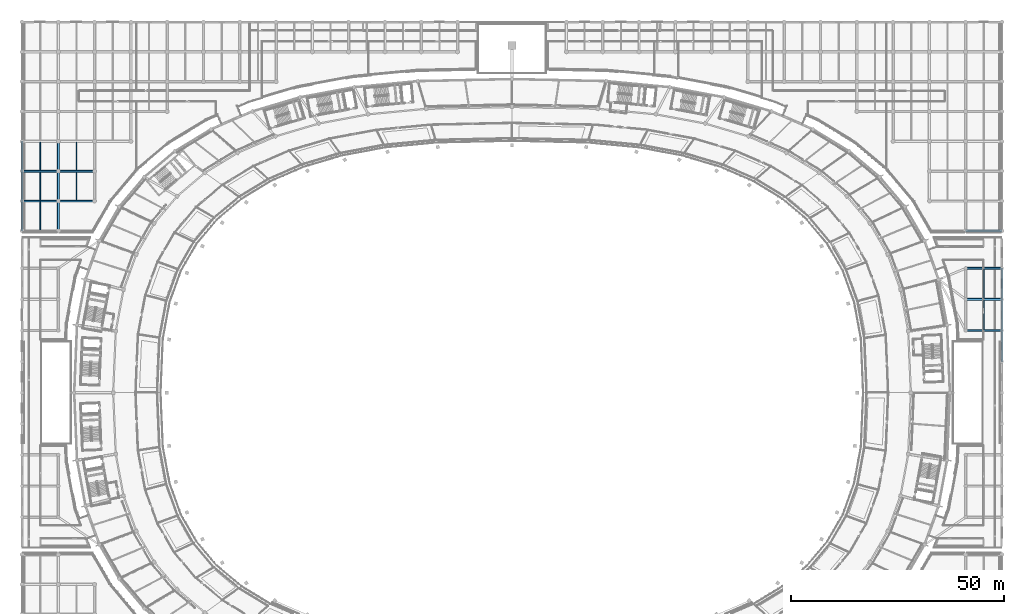
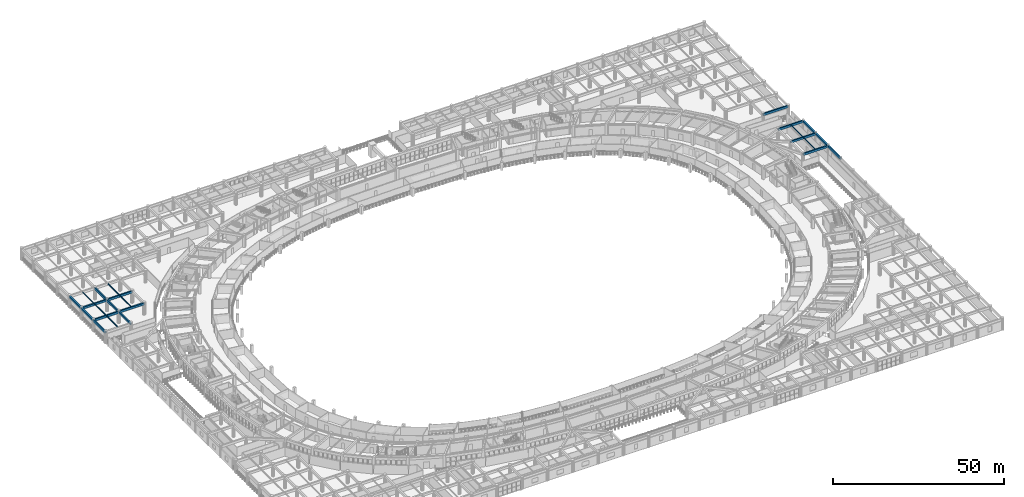
# One storey, part 48 of 141: 24 beams.
"""IFC4 building model written with IfcOpenShell, lengths in metres."""

from ifc_helpers import new_model, si_unit, direction, frame, origin, origin_2d, place, context, subcontext, project, spatial, rectangle, i_section, extrude, material, material_profile, profile_set, type_object, element, save


model = new_model("IFC4")

# Units and contexts
model_context = context("Model", 3, precision=1e-05, world=origin(), true_north=direction((0.0, 1.0)))
body_context = subcontext(model_context, "Body", "Model", "MODEL_VIEW")
ifc_project = project(units=[si_unit("LENGTHUNIT", "METRE"), si_unit("AREAUNIT", "SQUARE_METRE"), si_unit("VOLUMEUNIT", "CUBIC_METRE"), si_unit("PLANEANGLEUNIT", "RADIAN"), si_unit("MASSUNIT", "GRAM", prefix="KILO")], contexts=[model_context])

# Site, building, storey
site_placement = place(None, origin())
site = spatial("IfcSite", under=ifc_project, at=site_placement, CompositionType="ELEMENT")
building_placement = place(site_placement, origin())
building = spatial("IfcBuilding", under=site, at=building_placement, Name="Mphavela Belvedere Stadium", CompositionType="ELEMENT")
storey_placement = place(building_placement, frame((0.0, 0.0, 14.699951171875)))
storey = spatial("IfcBuildingStorey", under=building, at=storey_placement, Name="L03", CompositionType="ELEMENT", Elevation=14.699951171875)

# Beams
ifc_material_1 = material(Name="Steel S355", Category="steel")
ifc_material_profile_1 = material_profile(ifc_material_1, i_section(OverallWidth=0.169921875, OverallDepth=0.360107421875, WebThickness=0.008056640625, FlangeThickness=0.0126953125, at=origin_2d()), Name="IPE 360")
ifc_profile_set_1 = profile_set([ifc_material_profile_1], Name="Steel S355")
beam_type_1 = type_object("IfcBeamType", Name="BM-JOIST-IPE360", PredefinedType="JOIST", material=ifc_profile_set_1)
for number, where, z_axis, x_axis, name in (
    (1, (4.259521484375, 125.22509765625, 4.06005859375), (0.0, 1.0, 0.0), (-1.0, 0.0, 0.0), "North Mast and Ceremonial End Forecourt secondary joist L03 1-1"),
    (2, (4.259521484375, 132.22509765625, 4.06005859375), (0.0, 1.0, 0.0), (-1.0, 0.0, 0.0), "North Mast and Ceremonial End Forecourt secondary joist L03 1-2"),
    (3, (4.259521484375, 139.22509765625, 4.06005859375), (0.0, 1.0, 0.0), (-1.0, 0.0, 0.0), "North Mast and Ceremonial End Forecourt secondary joist L03 1-3"),
    (4, (12.778076171875, 132.22509765625, 4.06005859375), (0.0, 1.0, 0.0), (-1.0, 0.0, 0.0), "North Mast and Ceremonial End Forecourt secondary joist L03 2-2"),
    (5, (12.778076171875, 139.22509765625, 4.06005859375), (0.0, 1.0, 0.0), (-1.0, 0.0, 0.0), "North Mast and Ceremonial End Forecourt secondary joist L03 2-3"),
):
    element("IfcBeam", number, at=place(storey_placement, frame(where, z_axis=z_axis, x_axis=x_axis)), inside=storey, type_object=beam_type_1, Name=name, PredefinedType="JOIST", context=body_context, shape_type="SweptSolid", body=[
        extrude(i_section(OverallWidth=0.169921875, OverallDepth=0.360107421875, WebThickness=0.008056640625, FlangeThickness=0.0126953125, at=origin_2d()), origin(), (0.0, 0.0, 1.0), 6.5498046875),
    ])
for number, where, z_axis, x_axis, name in (
    (6, (225.75, 101.824951171875, 4.06005859375), (0.0, 1.0, 0.0), (-1.0, 0.0, 0.0), "East Planted Eaves Peristyle Colonnade secondary joist L03 8-8"),
    (7, (225.75, 109.125, 4.06005859375), (0.0, 1.0, 0.0), (-1.0, 0.0, 0.0), "East Planted Eaves Peristyle Colonnade secondary joist L03 8-9"),
):
    element("IfcBeam", number, at=place(storey_placement, frame(where, z_axis=z_axis, x_axis=x_axis)), inside=storey, type_object=beam_type_1, Name=name, PredefinedType="JOIST", context=body_context, shape_type="SweptSolid", body=[
        extrude(i_section(OverallWidth=0.169921875, OverallDepth=0.360107421875, WebThickness=0.008056640625, FlangeThickness=0.0126953125, at=origin_2d()), origin(), (0.0, 0.0, 1.0), 6.85009765625),
    ])
ifc_material_2 = material(Name="Concrete C40/50", Category="concrete")
ifc_material_profile_2 = material_profile(ifc_material_2, rectangle(XDim=0.449951171875, YDim=0.75, at=origin_2d()), Name="RC 450x750")
ifc_profile_set_2 = profile_set([ifc_material_profile_2], Name="Concrete C40/50")
beam_type_2 = type_object("IfcBeamType", Name="BM-RC450x750", PredefinedType="BEAM", material=ifc_profile_set_2)
beam_1_placement = place(storey_placement, frame((0.0, 125.0, 3.864990234375), z_axis=(0.0, 1.0, 0.0), x_axis=(-1.0, 0.0, 0.0)))
element("IfcBeam", 8, at=beam_1_placement, inside=storey, type_object=beam_type_2, Name="North Mast and Ceremonial End Forecourt entablature beam Y L03 1-1", PredefinedType="BEAM", context=body_context, shape_type="SweptSolid", body=[
    extrude(rectangle(XDim=0.449951171875, YDim=0.75, at=origin_2d()), origin(), (0.0, 0.0, 1.0), 7.0),
])
beam_2_placement = place(storey_placement, frame((0.0, 132.0, 3.864990234375), z_axis=(1.0, 0.0, 0.0), x_axis=(0.0, 1.0, 0.0)))
element("IfcBeam", 9, at=beam_2_placement, inside=storey, type_object=beam_type_2, Name="North Mast and Ceremonial End Forecourt entablature beam X L03 1-2", PredefinedType="BEAM", context=body_context, shape_type="SweptSolid", body=[
    extrude(rectangle(XDim=0.449951171875, YDim=0.75, at=origin_2d()), origin(), (0.0, 0.0, 1.0), 8.51904296875),
])
beam_3_placement = place(storey_placement, frame((0.0, 132.0, 3.864990234375), z_axis=(0.0, 1.0, 0.0), x_axis=(-1.0, 0.0, 0.0)))
element("IfcBeam", 10, at=beam_3_placement, inside=storey, type_object=beam_type_2, Name="North Mast and Ceremonial End Forecourt entablature beam Y L03 1-2", PredefinedType="BEAM", context=body_context, shape_type="SweptSolid", body=[
    extrude(rectangle(XDim=0.449951171875, YDim=0.75, at=origin_2d()), origin(), (0.0, 0.0, 1.0), 7.0),
])
beam_4_placement = place(storey_placement, frame((0.0, 139.0, 3.864990234375), z_axis=(1.0, 0.0, 0.0), x_axis=(0.0, 1.0, 0.0)))
element("IfcBeam", 11, at=beam_4_placement, inside=storey, type_object=beam_type_2, Name="North Mast and Ceremonial End Forecourt entablature beam X L03 1-3", PredefinedType="BEAM", context=body_context, shape_type="SweptSolid", body=[
    extrude(rectangle(XDim=0.449951171875, YDim=0.75, at=origin_2d()), origin(), (0.0, 0.0, 1.0), 8.51904296875),
])
for number, where, z_axis, x_axis, name in (
    (12, (0.0, 139.0, 3.864990234375), (0.0, 1.0, 0.0), (-1.0, 0.0, 0.0), "North Mast and Ceremonial End Forecourt entablature beam Y L03 1-3"),
    (13, (8.51904296875, 125.0, 3.864990234375), (0.0, 1.0, 0.0), (-1.0, 0.0, 0.0), "North Mast and Ceremonial End Forecourt entablature beam Y L03 2-1"),
):
    element("IfcBeam", number, at=place(storey_placement, frame(where, z_axis=z_axis, x_axis=x_axis)), inside=storey, type_object=beam_type_2, Name=name, PredefinedType="BEAM", context=body_context, shape_type="SweptSolid", body=[
        extrude(rectangle(XDim=0.449951171875, YDim=0.75, at=origin_2d()), origin(), (0.0, 0.0, 1.0), 7.0),
    ])
beam_5_placement = place(storey_placement, frame((8.51904296875, 132.0, 3.864990234375), z_axis=(1.0, 0.0, 0.0), x_axis=(0.0, 1.0, 0.0)))
element("IfcBeam", 14, at=beam_5_placement, inside=storey, type_object=beam_type_2, Name="North Mast and Ceremonial End Forecourt entablature beam X L03 2-2", PredefinedType="BEAM", context=body_context, shape_type="SweptSolid", body=[
    extrude(rectangle(XDim=0.449951171875, YDim=0.75, at=origin_2d()), origin(), (0.0, 0.0, 1.0), 8.51806640625),
])
beam_6_placement = place(storey_placement, frame((8.51904296875, 132.0, 3.864990234375), z_axis=(0.0, 1.0, 0.0), x_axis=(-1.0, 0.0, 0.0)))
element("IfcBeam", 15, at=beam_6_placement, inside=storey, type_object=beam_type_2, Name="North Mast and Ceremonial End Forecourt entablature beam Y L03 2-2", PredefinedType="BEAM", context=body_context, shape_type="SweptSolid", body=[
    extrude(rectangle(XDim=0.449951171875, YDim=0.75, at=origin_2d()), origin(), (0.0, 0.0, 1.0), 7.0),
])
beam_7_placement = place(storey_placement, frame((8.51904296875, 139.0, 3.864990234375), z_axis=(1.0, 0.0, 0.0), x_axis=(0.0, 1.0, 0.0)))
element("IfcBeam", 16, at=beam_7_placement, inside=storey, type_object=beam_type_2, Name="North Mast and Ceremonial End Forecourt entablature beam X L03 2-3", PredefinedType="BEAM", context=body_context, shape_type="SweptSolid", body=[
    extrude(rectangle(XDim=0.449951171875, YDim=0.75, at=origin_2d()), origin(), (0.0, 0.0, 1.0), 8.51806640625),
])
beam_8_placement = place(storey_placement, frame((8.51904296875, 139.0, 3.864990234375), z_axis=(0.0, 1.0, 0.0), x_axis=(-1.0, 0.0, 0.0)))
element("IfcBeam", 17, at=beam_8_placement, inside=storey, type_object=beam_type_2, Name="North Mast and Ceremonial End Forecourt entablature beam Y L03 2-3", PredefinedType="BEAM", context=body_context, shape_type="SweptSolid", body=[
    extrude(rectangle(XDim=0.449951171875, YDim=0.75, at=origin_2d()), origin(), (0.0, 0.0, 1.0), 7.0),
])
beam_9_placement = place(storey_placement, frame((221.48095703125, 125.0, 3.864990234375), z_axis=(1.0, 0.0, 0.0), x_axis=(0.0, 1.0, 0.0)))
element("IfcBeam", 18, at=beam_9_placement, inside=storey, type_object=beam_type_2, Name="North Mast and Ceremonial End Forecourt entablature beam X L03 27-1", PredefinedType="BEAM", context=body_context, shape_type="SweptSolid", body=[
    extrude(rectangle(XDim=0.449951171875, YDim=0.75, at=origin_2d()), origin(), (0.0, 0.0, 1.0), 8.51904296875),
])
for number, where, z_axis, x_axis, name in (
    (19, (221.5, 101.60009765625, 3.864990234375), (1.0, 0.0, 0.0), (0.0, 1.0, 0.0), "East Planted Eaves Peristyle Colonnade entablature beam X L03 8-8"),
    (20, (221.5, 108.89990234375, 3.864990234375), (1.0, 0.0, 0.0), (0.0, 1.0, 0.0), "East Planted Eaves Peristyle Colonnade entablature beam X L03 8-9"),
    (21, (221.5, 116.199951171875, 3.864990234375), (1.0, 0.0, 0.0), (0.0, 1.0, 0.0), "East Planted Eaves Peristyle Colonnade entablature beam X L03 8-10"),
):
    element("IfcBeam", number, at=place(storey_placement, frame(where, z_axis=z_axis, x_axis=x_axis)), inside=storey, type_object=beam_type_2, Name=name, PredefinedType="BEAM", context=body_context, shape_type="SweptSolid", body=[
        extrude(rectangle(XDim=0.449951171875, YDim=0.75, at=origin_2d()), origin(), (0.0, 0.0, 1.0), 8.5),
    ])
beam_10_placement = place(storey_placement, frame((230.0, 94.300048828125, 3.864990234375), z_axis=(0.0, 1.0, 0.0), x_axis=(-1.0, 0.0, 0.0)))
element("IfcBeam", 22, at=beam_10_placement, inside=storey, type_object=beam_type_2, Name="East Planted Eaves Peristyle Colonnade entablature beam Y L03 9-7", PredefinedType="BEAM", context=body_context, shape_type="SweptSolid", body=[
    extrude(rectangle(XDim=0.449951171875, YDim=0.75, at=origin_2d()), origin(), (0.0, 0.0, 1.0), 7.300048828125),
])
beam_11_placement = place(storey_placement, frame((230.0, 101.60009765625, 3.864990234375), z_axis=(0.0, 1.0, 0.0), x_axis=(-1.0, 0.0, 0.0)))
element("IfcBeam", 23, at=beam_11_placement, inside=storey, type_object=beam_type_2, Name="East Planted Eaves Peristyle Colonnade entablature beam Y L03 9-8", PredefinedType="BEAM", context=body_context, shape_type="SweptSolid", body=[
    extrude(rectangle(XDim=0.449951171875, YDim=0.75, at=origin_2d()), origin(), (0.0, 0.0, 1.0), 7.2998046875),
])
beam_12_placement = place(storey_placement, frame((230.0, 108.89990234375, 3.864990234375), z_axis=(0.0, 1.0, 0.0), x_axis=(-1.0, 0.0, 0.0)))
element("IfcBeam", 24, at=beam_12_placement, inside=storey, type_object=beam_type_2, Name="East Planted Eaves Peristyle Colonnade entablature beam Y L03 9-9", PredefinedType="BEAM", context=body_context, shape_type="SweptSolid", body=[
    extrude(rectangle(XDim=0.449951171875, YDim=0.75, at=origin_2d()), origin(), (0.0, 0.0, 1.0), 7.300048828125),
])

save(model, "model.ifc")
